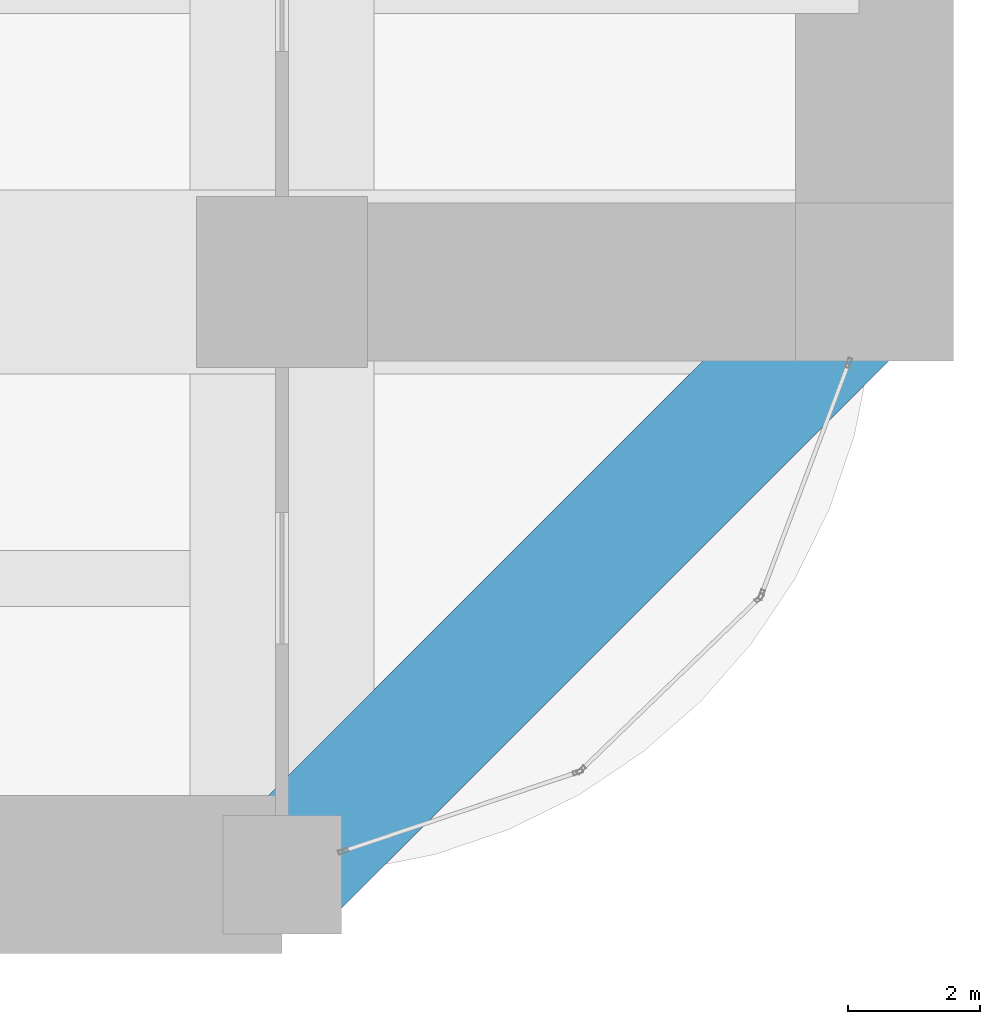
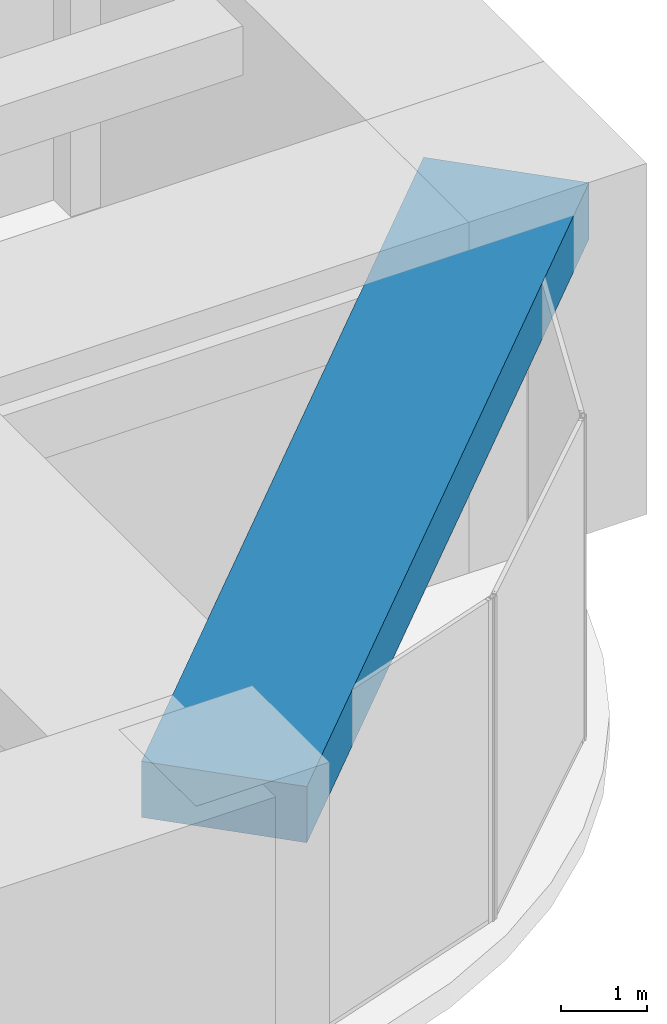
# One storey, part 17 of 38: 1 beam.
"""IFC4 building model written with IfcOpenShell, lengths in metres."""

from ifc_helpers import new_model, si_unit, direction, frame, origin, origin_2d, place, context, subcontext, project, spatial, rectangle, extrude, material, material_profile, profile_set, type_object, element, save


model = new_model("IFC4")

# Units and contexts
model_context = context("Model", 3, precision=1e-05, world=origin(), true_north=direction((0.0, 1.0)))
body_context = subcontext(model_context, "Body", "Model", "MODEL_VIEW")
ifc_project = project(units=[si_unit("LENGTHUNIT", "METRE"), si_unit("AREAUNIT", "SQUARE_METRE"), si_unit("VOLUMEUNIT", "CUBIC_METRE"), si_unit("PLANEANGLEUNIT", "RADIAN"), si_unit("MASSUNIT", "GRAM", prefix="KILO")], contexts=[model_context])

# Site, building, storey
site_placement = place(None, origin())
site = spatial("IfcSite", under=ifc_project, at=site_placement, CompositionType="ELEMENT")
building_placement = place(site_placement, origin())
building = spatial("IfcBuilding", under=site, at=building_placement, Name="Zorevar Civic Tower", CompositionType="ELEMENT")
storey_placement = place(building_placement, frame((0.0, 0.0, 157.199951171875)))
storey = spatial("IfcBuildingStorey", under=building, at=storey_placement, Name="L38", CompositionType="ELEMENT", Elevation=157.199951171875)

# Beam
ifc_material = material(Name="Concrete C50/60", Category="concrete")
ifc_material_profile = material_profile(ifc_material, rectangle(XDim=2.0, YDim=0.800048828125, at=origin_2d()), Name="RC 2000x800")
ifc_profile_set = profile_set([ifc_material_profile], Name="Concrete C50/60")
beam_type = type_object("IfcBeamType", Name="Edge beam RC 2000x800", PredefinedType="SPANDREL", material=ifc_profile_set)
beam_placement = place(storey_placement, frame((54.0, 0.0, 4.199951171875), z_axis=(0.707106781187, 0.707106781187, 0.0), x_axis=(-0.707106781187, 0.707106781187, 0.0)))
element("IfcBeam", 1, at=beam_placement, inside=storey, type_object=beam_type, Name="Corner edge beam L39", PredefinedType="SPANDREL", context=body_context, shape_type="SweptSolid", body=[
    extrude(rectangle(XDim=2.0, YDim=0.800048828125, at=origin_2d()), origin(), (0.0, 0.0, 1.0), 12.72802734375),
])

save(model, "model.ifc")
